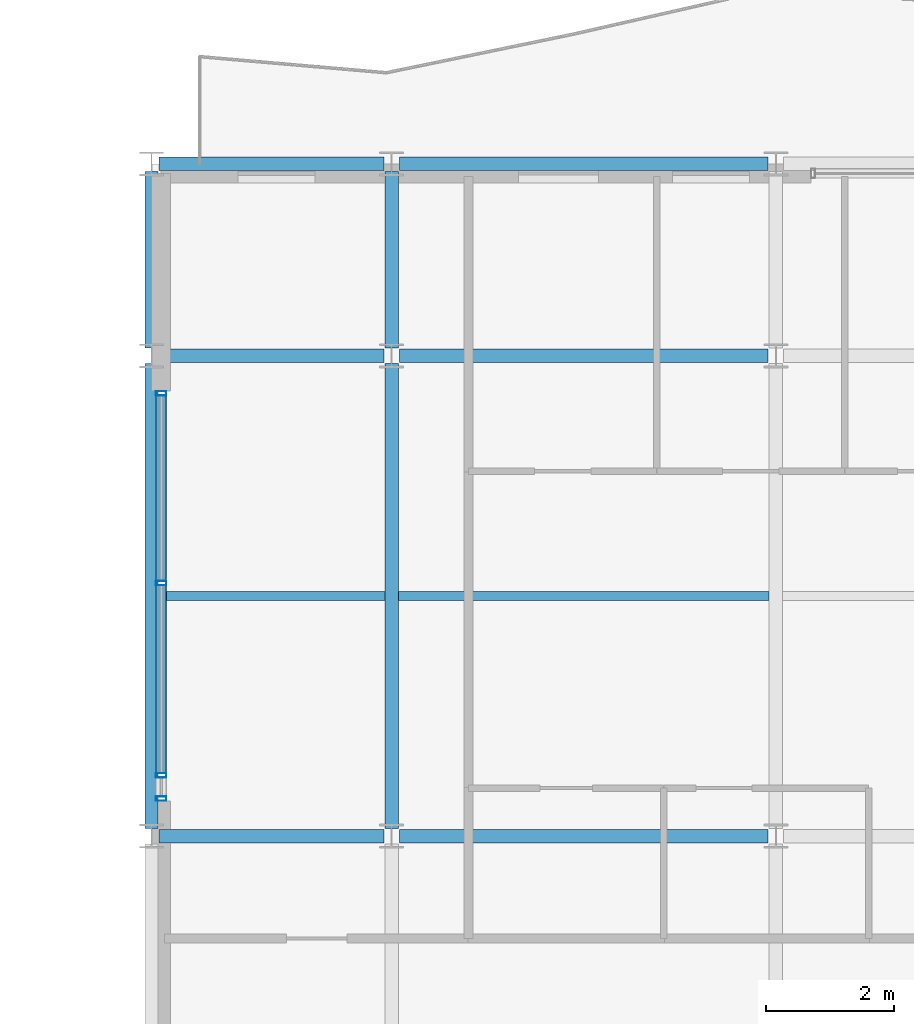
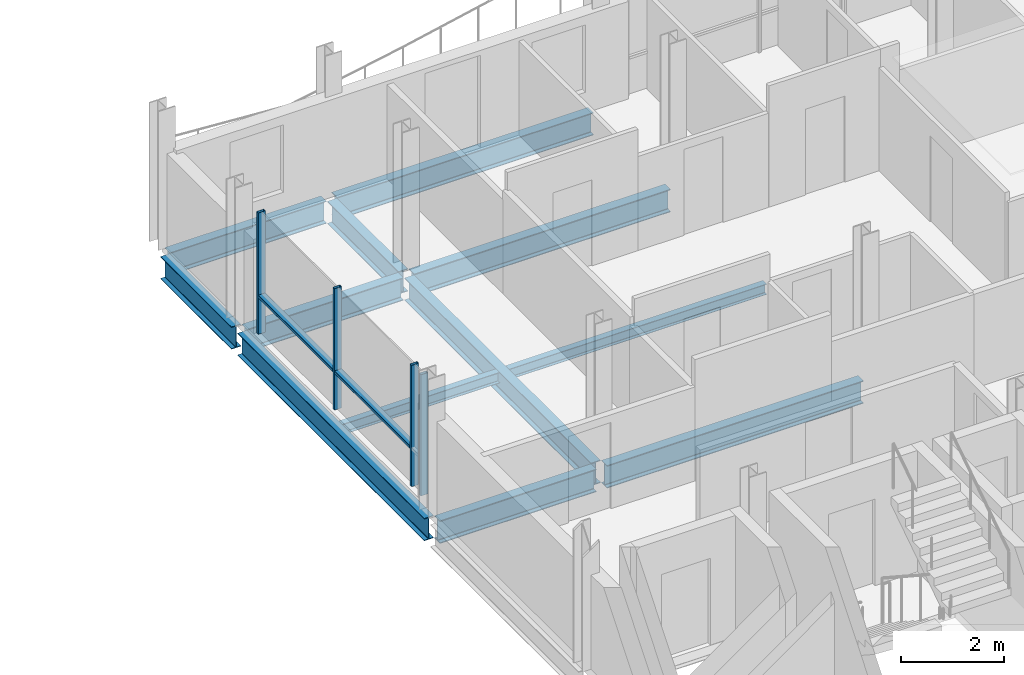
# One storey, part 12 of 30: 12 beams, 6 members, 1 element without a shape of its own.
"""IFC4 building model written with IfcOpenShell, lengths in metres."""

from ifc_helpers import new_model, si_unit, direction, frame, origin, origin_2d, place, context, subcontext, project, spatial, hollow_rectangle, i_section, extrude, material, layer, layer_set, material_profile, profile_set, type_object, element, aggregate, save


model = new_model("IFC4")

# Units and contexts
model_context = context("Model", 3, precision=1e-05, world=origin(), true_north=direction((0.0, 1.0)))
body_context = subcontext(model_context, "Body", "Model", "MODEL_VIEW")
ifc_project = project(units=[si_unit("LENGTHUNIT", "METRE"), si_unit("AREAUNIT", "SQUARE_METRE"), si_unit("VOLUMEUNIT", "CUBIC_METRE"), si_unit("PLANEANGLEUNIT", "RADIAN"), si_unit("MASSUNIT", "GRAM", prefix="KILO")], contexts=[model_context])

# Site, building, storey
site_placement = place(None, origin())
site = spatial("IfcSite", under=ifc_project, at=site_placement, CompositionType="ELEMENT")
building_placement = place(site_placement, origin())
building = spatial("IfcBuilding", under=site, at=building_placement, Name="Brevholm Reach", CompositionType="ELEMENT")
storey_placement = place(building_placement, frame((0.0, 0.0, 211.10009765625)))
storey = spatial("IfcBuildingStorey", under=building, at=storey_placement, Name="L64", CompositionType="ELEMENT", Elevation=211.10009765625)

# Beams
ifc_material_1 = material(Name="Structural Steel S355J2", Category="steel")
ifc_material_profile_1 = material_profile(ifc_material_1, i_section(OverallWidth=0.14599609375, OverallDepth=0.25146484375, WebThickness=0.006103515625, FlangeThickness=0.008544921875, FilletRadius=0.007568359375, at=origin_2d()), Name="UKB 254x146x31")
ifc_profile_set_1 = profile_set([ifc_material_profile_1], Name="Structural Steel S355J2")
beam_type_1 = type_object("IfcBeamType", Name="BM-B254", PredefinedType="BEAM", material=ifc_profile_set_1)
beam_1_placement = place(storey_placement, frame((38.354736328125, 19.75, -0.335693359375), z_axis=(1.0, 0.0, 0.0), x_axis=(0.0, 1.0, 0.0)))
element("IfcBeam", 1, at=beam_1_placement, inside=storey, type_object=beam_type_1, Name="L64 Composite Secondary Floor Beam", PredefinedType="BEAM", context=body_context, shape_type="SweptSolid", body=[
    extrude(i_section(OverallWidth=0.14599609375, OverallDepth=0.25146484375, WebThickness=0.006103515625, FlangeThickness=0.008544921875, FilletRadius=0.007568359375, at=origin_2d()), origin(), (0.0, 0.0, 1.0), 3.539794921875),
])
beam_2_placement = place(storey_placement, frame((42.10546875, 19.75, -0.335693359375), z_axis=(1.0, 0.0, 0.0), x_axis=(0.0, 1.0, 0.0)))
element("IfcBeam", 2, at=beam_2_placement, inside=storey, type_object=beam_type_1, Name="L64 Composite Secondary Floor Beam", PredefinedType="BEAM", context=body_context, shape_type="SweptSolid", body=[
    extrude(i_section(OverallWidth=0.14599609375, OverallDepth=0.25146484375, WebThickness=0.006103515625, FlangeThickness=0.008544921875, FilletRadius=0.007568359375, at=origin_2d()), origin(), (0.0, 0.0, 1.0), 5.7890625),
])
ifc_material_2 = material(Name="Structural Steel S355J2", Category="steel")
ifc_material_profile_2 = material_profile(ifc_material_2, i_section(OverallWidth=0.209228515625, OverallDepth=0.533203125, WebThickness=0.010009765625, FlangeThickness=0.015625, FilletRadius=0.0126953125, at=origin_2d()), Name="UKB 533x210x92")
ifc_profile_set_2 = profile_set([ifc_material_profile_2], Name="Structural Steel S355J2")
beam_type_2 = type_object("IfcBeamType", Name="BM-SP533", PredefinedType="SPANDREL", material=ifc_profile_set_2)
beam_3_placement = place(storey_placement, frame((38.3701171875, 26.5, -0.4765625), z_axis=(1.0, 0.0, 0.0), x_axis=(0.0, 1.0, 0.0)))
element("IfcBeam", 3, at=beam_3_placement, inside=storey, type_object=beam_type_2, Name="L64 SP-02 Framing Beam", PredefinedType="SPANDREL", context=body_context, shape_type="SweptSolid", body=[
    extrude(i_section(OverallWidth=0.209228515625, OverallDepth=0.533203125, WebThickness=0.010009765625, FlangeThickness=0.015625, FilletRadius=0.0126953125, at=origin_2d()), origin(), (0.0, 0.0, 1.0), 3.509765625),
])
beam_4_placement = place(storey_placement, frame((42.1201171875, 26.5, -0.4765625), z_axis=(1.0, 0.0, 0.0), x_axis=(0.0, 1.0, 0.0)))
element("IfcBeam", 4, at=beam_4_placement, inside=storey, type_object=beam_type_2, Name="L64 SP-02 Framing Beam", PredefinedType="SPANDREL", context=body_context, shape_type="SweptSolid", body=[
    extrude(i_section(OverallWidth=0.209228515625, OverallDepth=0.533203125, WebThickness=0.010009765625, FlangeThickness=0.015625, FilletRadius=0.0126953125, at=origin_2d()), origin(), (0.0, 0.0, 1.0), 5.759765625),
])
beam_5_placement = place(storey_placement, frame((38.25, 16.1201171875, -0.4765625), z_axis=(0.0, 1.0, 0.0), x_axis=(-1.0, 0.0, 0.0)))
element("IfcBeam", 5, at=beam_5_placement, inside=storey, type_object=beam_type_2, Name="L64 SP-02 Framing Beam", PredefinedType="SPANDREL", context=body_context, shape_type="SweptSolid", body=[
    extrude(i_section(OverallWidth=0.209228515625, OverallDepth=0.533203125, WebThickness=0.010009765625, FlangeThickness=0.015625, FilletRadius=0.0126953125, at=origin_2d()), origin(), (0.0, 0.0, 1.0), 7.259765625),
])
beam_6_placement = place(storey_placement, frame((38.25, 23.6201171875, -0.4765625), z_axis=(0.0, 1.0, 0.0), x_axis=(-1.0, 0.0, 0.0)))
element("IfcBeam", 6, at=beam_6_placement, inside=storey, type_object=beam_type_2, Name="L64 SP-02 Framing Beam", PredefinedType="SPANDREL", context=body_context, shape_type="SweptSolid", body=[
    extrude(i_section(OverallWidth=0.209228515625, OverallDepth=0.533203125, WebThickness=0.010009765625, FlangeThickness=0.015625, FilletRadius=0.0126953125, at=origin_2d()), origin(), (0.0, 0.0, 1.0), 2.759765625),
])
ifc_material_3 = material(Name="Structural Steel S355J2", Category="steel")
ifc_material_profile_3 = material_profile(ifc_material_3, i_section(OverallWidth=0.210693359375, OverallDepth=0.53955078125, WebThickness=0.01171875, FlangeThickness=0.018798828125, FilletRadius=0.0126953125, at=origin_2d()), Name="UKB 533x210x109")
ifc_profile_set_3 = profile_set([ifc_material_profile_3], Name="Structural Steel S355J2")
beam_type_3 = type_object("IfcBeamType", Name="BM-SP539", PredefinedType="SPANDREL", material=ifc_profile_set_3)
beam_7_placement = place(storey_placement, frame((38.3701171875, 16.0, -0.479736328125), z_axis=(1.0, 0.0, 0.0), x_axis=(0.0, 1.0, 0.0)))
element("IfcBeam", 7, at=beam_7_placement, inside=storey, type_object=beam_type_3, Name="L64 SP-01B Framing Beam", PredefinedType="SPANDREL", context=body_context, shape_type="SweptSolid", body=[
    extrude(i_section(OverallWidth=0.210693359375, OverallDepth=0.53955078125, WebThickness=0.01171875, FlangeThickness=0.018798828125, FilletRadius=0.0126953125, at=origin_2d()), origin(), (0.0, 0.0, 1.0), 3.509765625),
])
beam_8_placement = place(storey_placement, frame((42.1201171875, 16.0, -0.479736328125), z_axis=(1.0, 0.0, 0.0), x_axis=(0.0, 1.0, 0.0)))
element("IfcBeam", 8, at=beam_8_placement, inside=storey, type_object=beam_type_3, Name="L64 SP-01B Framing Beam", PredefinedType="SPANDREL", context=body_context, shape_type="SweptSolid", body=[
    extrude(i_section(OverallWidth=0.210693359375, OverallDepth=0.53955078125, WebThickness=0.01171875, FlangeThickness=0.018798828125, FilletRadius=0.0126953125, at=origin_2d()), origin(), (0.0, 0.0, 1.0), 5.759765625),
])
beam_9_placement = place(storey_placement, frame((38.3701171875, 23.5, -0.479736328125), z_axis=(1.0, 0.0, 0.0), x_axis=(0.0, 1.0, 0.0)))
element("IfcBeam", 9, at=beam_9_placement, inside=storey, type_object=beam_type_3, Name="L64 SP-01B Framing Beam", PredefinedType="SPANDREL", context=body_context, shape_type="SweptSolid", body=[
    extrude(i_section(OverallWidth=0.210693359375, OverallDepth=0.53955078125, WebThickness=0.01171875, FlangeThickness=0.018798828125, FilletRadius=0.0126953125, at=origin_2d()), origin(), (0.0, 0.0, 1.0), 3.509765625),
])
beam_10_placement = place(storey_placement, frame((42.1201171875, 23.5, -0.479736328125), z_axis=(1.0, 0.0, 0.0), x_axis=(0.0, 1.0, 0.0)))
element("IfcBeam", 10, at=beam_10_placement, inside=storey, type_object=beam_type_3, Name="L64 SP-01B Framing Beam", PredefinedType="SPANDREL", context=body_context, shape_type="SweptSolid", body=[
    extrude(i_section(OverallWidth=0.210693359375, OverallDepth=0.53955078125, WebThickness=0.01171875, FlangeThickness=0.018798828125, FilletRadius=0.0126953125, at=origin_2d()), origin(), (0.0, 0.0, 1.0), 5.759765625),
])
beam_11_placement = place(storey_placement, frame((42.0, 16.1201171875, -0.479736328125), z_axis=(0.0, 1.0, 0.0), x_axis=(-1.0, 0.0, 0.0)))
element("IfcBeam", 11, at=beam_11_placement, inside=storey, type_object=beam_type_3, Name="L64 SP-01B Framing Beam", PredefinedType="SPANDREL", context=body_context, shape_type="SweptSolid", body=[
    extrude(i_section(OverallWidth=0.210693359375, OverallDepth=0.53955078125, WebThickness=0.01171875, FlangeThickness=0.018798828125, FilletRadius=0.0126953125, at=origin_2d()), origin(), (0.0, 0.0, 1.0), 7.259765625),
])
beam_12_placement = place(storey_placement, frame((42.0, 23.6201171875, -0.479736328125), z_axis=(0.0, 1.0, 0.0), x_axis=(-1.0, 0.0, 0.0)))
element("IfcBeam", 12, at=beam_12_placement, inside=storey, type_object=beam_type_3, Name="L64 SP-01B Framing Beam", PredefinedType="SPANDREL", context=body_context, shape_type="SweptSolid", body=[
    extrude(i_section(OverallWidth=0.210693359375, OverallDepth=0.53955078125, WebThickness=0.01171875, FlangeThickness=0.018798828125, FilletRadius=0.0126953125, at=origin_2d()), origin(), (0.0, 0.0, 1.0), 2.759765625),
])

# Curtain wall, members
ifc_material_4 = material(Name="Dark Anodised Aluminium 6063-T6 and Solar-Control Glass", Category="aluminium")
ifc_layer = layer(ifc_material_4, 0.1650390625)
ifc_layer_set = layer_set([ifc_layer], Name="Dark Anodised Aluminium 6063-T6 and Solar-Control Glass")
curtain_wall_type = type_object("IfcCurtainWallType", Name="CW-04", PredefinedType="NOTDEFINED", material=ifc_layer_set)
curtain_wall_placement = place(storey_placement, origin())
curtain_wall = element("IfcCurtainWall", 13, at=curtain_wall_placement, inside=storey, type_object=curtain_wall_type, Name="L64 Curtain Wall CW-04", PredefinedType="NOTDEFINED")
ifc_material_5 = material(Name="Dark Anodised Aluminium 6063-T6", Category="aluminium")
ifc_material_profile_4 = material_profile(ifc_material_5, hollow_rectangle(XDim=0.070068359375, YDim=0.1650390625, WallThickness=0.0048828125, InnerFilletRadius=0.0048828125, OuterFilletRadius=0.010009765625, at=origin_2d()), Name="RHS 165x70x5")
ifc_profile_set_4 = profile_set([ifc_material_profile_4], Name="Dark Anodised Aluminium 6063-T6")
member_type_1 = type_object("IfcMemberType", Name="CWM-165", PredefinedType="MULLION", material=ifc_profile_set_4)
member_1_placement = place(storey_placement, frame((38.39990234375, 22.9150390625, 0.0), z_axis=(0.0, 0.0, 1.0), x_axis=(0.0, -1.0, 0.0)))
member_1 = element("IfcMember", 14, at=member_1_placement, type_object=member_type_1, Name="CM-165 Mullion 1", PredefinedType="MULLION", context=body_context, shape_type="SweptSolid", body=[
    extrude(hollow_rectangle(XDim=0.070068359375, YDim=0.1650390625, WallThickness=0.0048828125, InnerFilletRadius=0.0048828125, OuterFilletRadius=0.010009765625, at=origin_2d()), origin(), (0.0, 0.0, 1.0), 2.8798828125),
])
member_2_placement = place(storey_placement, frame((38.39990234375, 19.949951171875, 0.0), z_axis=(0.0, 0.0, 1.0), x_axis=(0.0, -1.0, 0.0)))
member_2 = element("IfcMember", 15, at=member_2_placement, type_object=member_type_1, Name="CM-165 Mullion 2", PredefinedType="MULLION", context=body_context, shape_type="SweptSolid", body=[
    extrude(hollow_rectangle(XDim=0.070068359375, YDim=0.1650390625, WallThickness=0.0048828125, InnerFilletRadius=0.0048828125, OuterFilletRadius=0.010009765625, at=origin_2d()), origin(), (0.0, 0.0, 1.0), 2.8798828125),
])
member_3_placement = place(storey_placement, frame((38.39990234375, 16.949951171875, 0.0), z_axis=(0.0, 0.0, 1.0), x_axis=(0.0, -1.0, 0.0)))
member_3 = element("IfcMember", 16, at=member_3_placement, type_object=member_type_1, Name="CM-165 Mullion 3", PredefinedType="MULLION", context=body_context, shape_type="SweptSolid", body=[
    extrude(hollow_rectangle(XDim=0.070068359375, YDim=0.1650390625, WallThickness=0.0048828125, InnerFilletRadius=0.0048828125, OuterFilletRadius=0.010009765625, at=origin_2d()), origin(), (0.0, 0.0, 1.0), 2.8798828125),
])
member_4_placement = place(storey_placement, frame((38.39990234375, 16.5849609375, 0.0), z_axis=(0.0, 0.0, 1.0), x_axis=(0.0, -1.0, 0.0)))
member_4 = element("IfcMember", 17, at=member_4_placement, type_object=member_type_1, Name="CM-165 Mullion 4", PredefinedType="MULLION", context=body_context, shape_type="SweptSolid", body=[
    extrude(hollow_rectangle(XDim=0.070068359375, YDim=0.1650390625, WallThickness=0.0048828125, InnerFilletRadius=0.0048828125, OuterFilletRadius=0.010009765625, at=origin_2d()), origin(), (0.0, 0.0, 1.0), 2.8798828125),
])
ifc_material_6 = material(Name="Dark Anodised Aluminium 6063-T6", Category="aluminium")
ifc_material_profile_5 = material_profile(ifc_material_6, hollow_rectangle(XDim=0.070068359375, YDim=0.1650390625, WallThickness=0.0048828125, InnerFilletRadius=0.0048828125, OuterFilletRadius=0.010009765625, at=origin_2d()), Name="RHS 165x70x5")
ifc_profile_set_5 = profile_set([ifc_material_profile_5], Name="Dark Anodised Aluminium 6063-T6")
member_type_2 = type_object("IfcMemberType", Name="CWT-165", PredefinedType="NOTDEFINED", material=ifc_profile_set_5)
member_5_placement = place(storey_placement, frame((38.39990234375, 22.8798828125, 0.89990234375), z_axis=(0.0, -1.0, 0.0), x_axis=(0.0, 0.0, 1.0)))
member_5 = element("IfcMember", 18, at=member_5_placement, type_object=member_type_2, Name="CT-165 Transom 1.1", ObjectType="TRANSOM", PredefinedType="USERDEFINED", context=body_context, shape_type="SweptSolid", body=[
    extrude(hollow_rectangle(XDim=0.070068359375, YDim=0.1650390625, WallThickness=0.0048828125, InnerFilletRadius=0.0048828125, OuterFilletRadius=0.010009765625, at=origin_2d()), origin(), (0.0, 0.0, 1.0), 2.894775390625),
])
member_6_placement = place(storey_placement, frame((38.39990234375, 19.9150390625, 0.89990234375), z_axis=(0.0, -1.0, 0.0), x_axis=(0.0, 0.0, 1.0)))
member_6 = element("IfcMember", 19, at=member_6_placement, type_object=member_type_2, Name="CT-165 Transom 2.1", ObjectType="TRANSOM", PredefinedType="USERDEFINED", context=body_context, shape_type="SweptSolid", body=[
    extrude(hollow_rectangle(XDim=0.070068359375, YDim=0.1650390625, WallThickness=0.0048828125, InnerFilletRadius=0.0048828125, OuterFilletRadius=0.010009765625, at=origin_2d()), origin(), (0.0, 0.0, 1.0), 2.929931640625),
])
aggregate(curtain_wall, [member_1, member_2, member_3, member_4, member_5, member_6])

save(model, "model.ifc")
